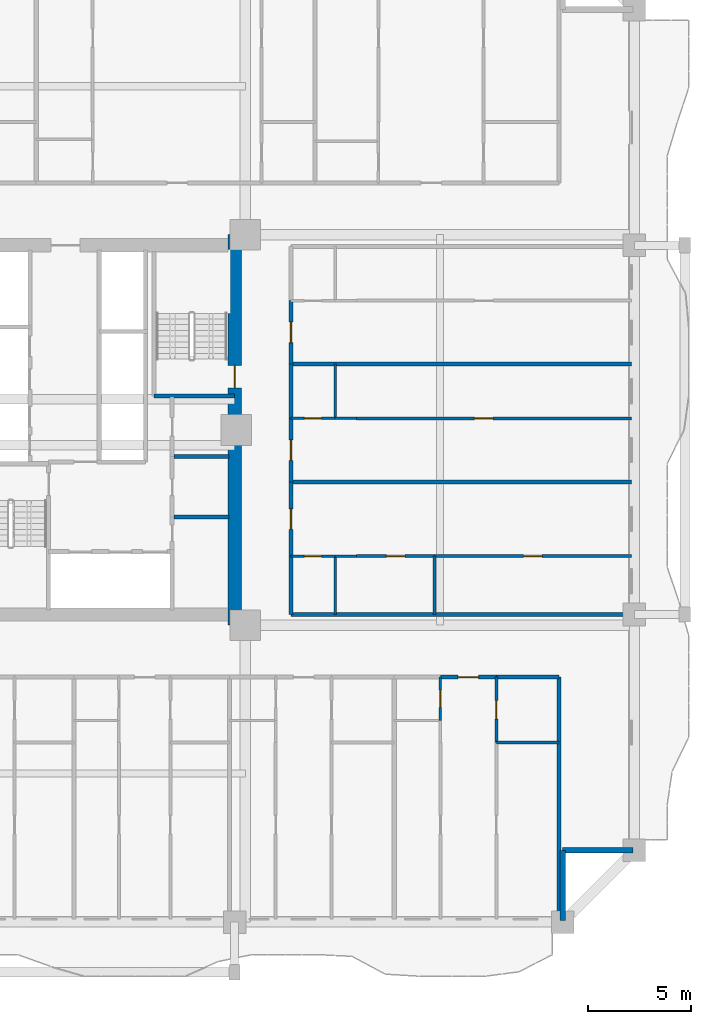
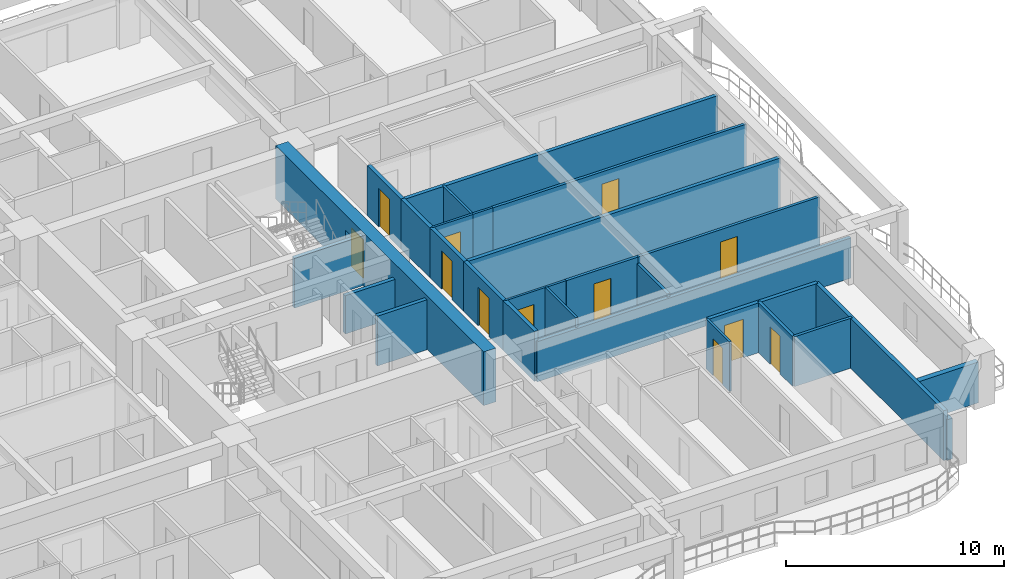
# One storey, part 6 of 16: 30 walls, 12 doors, 12 openings.
"""IFC4 building model written with IfcOpenShell, lengths in metres."""

from ifc_helpers import new_model, si_unit, direction, frame, frame_2d, origin, place, context, subcontext, project, spatial, rectangle, extrude, source, transform, mapped, material, layer, layer_set, type_object, element, fill, save


model = new_model("IFC4")

# Units and contexts
model_context = context("Model", 3, precision=1e-05, world=origin(), true_north=direction((0.0, 1.0)))
body_context = subcontext(model_context, "Body", "Model", "MODEL_VIEW")
ifc_project = project(units=[si_unit("LENGTHUNIT", "METRE"), si_unit("AREAUNIT", "SQUARE_METRE"), si_unit("VOLUMEUNIT", "CUBIC_METRE"), si_unit("PLANEANGLEUNIT", "RADIAN"), si_unit("MASSUNIT", "GRAM", prefix="KILO")], contexts=[model_context])

# Site, building, storey
site_placement = place(None, origin())
site = spatial("IfcSite", under=ifc_project, at=site_placement, CompositionType="ELEMENT")
building_placement = place(site_placement, origin())
building = spatial("IfcBuilding", under=site, at=building_placement, Name="Saelheon Loggia Tower", CompositionType="ELEMENT")
storey_placement = place(building_placement, frame((0.0, 0.0, 58.39990234375)))
storey = spatial("IfcBuildingStorey", under=building, at=storey_placement, Name="L18", CompositionType="ELEMENT", Elevation=58.39990234375)

# Wall, opening, door
ifc_material_1 = material(Name="Concrete C60/75", Category="concrete")
ifc_layer_1 = layer(ifc_material_1, 0.64990234375)
ifc_layer_set_1 = layer_set([ifc_layer_1], Name="Concrete C60/75")
wall_type_1 = type_object("IfcWallType", Name="Wall_CoreShear_650", PredefinedType="SHEAR", material=ifc_layer_set_1)
wall_1_placement = place(storey_placement, frame((44.5, 17.47998046875, 0.0), z_axis=(0.0, 0.0, 1.0), x_axis=(0.0, 1.0, 0.0)))
wall_1 = element("IfcWall", 1, at=wall_1_placement, inside=storey, type_object=wall_type_1, Name="L18 Core Shear Wall East", PredefinedType="SHEAR", context=body_context, shape_type="SweptSolid", body=[
    extrude(rectangle(XDim=19.0400390625, YDim=0.64990234375, at=frame_2d((9.52001953125, 0.0))), origin(), (0.0, 0.0, 1.0), 3.0),
])
opening_1_placement = place(wall_1_placement, frame((12.670166015625, 0.0, 0.0), z_axis=(0.0, 0.0, 1.0), x_axis=(-1.0, 0.0, 0.0)))
opening_1 = element("IfcOpeningElement", 2, at=opening_1_placement, cuts=wall_1, Name="Opening D-FD2", PredefinedType="OPENING", context=body_context, shape_type="SweptSolid", body=[
    extrude(rectangle(XDim=1.10009765625, YDim=2.14990234375, at=frame_2d((0.550048828125, 1.074951171875))), frame((0.0, 0.3369140625, 0.0), z_axis=(0.0, -1.0, 0.0), x_axis=(1.0, 0.0, 0.0)), (0.0, 0.0, 1.0), 0.673828125),
])
ifc_material_2 = material(Name="Galvanised Steel Fire Door", Category="steel")
door_type_1 = type_object("IfcDoorType", Name="Door_Fire_FD60_1100", OperationType="NOTDEFINED", PredefinedType="DOOR", material=ifc_material_2)
shared_shape_1 = source(origin(), body_context, "Body", "SweptSolid", [
    extrude(rectangle(XDim=1.10009765625, YDim=2.14990234375, at=frame_2d((0.550048828125, 1.074951171875))), frame((0.0, 0.02490234375, 0.0), z_axis=(0.0, -1.0, 0.0), x_axis=(1.0, 0.0, 0.0)), (0.0, 0.0, 1.0), 0.050048828125),
])
door_1_placement = place(opening_1_placement, origin())
door_1 = element("IfcDoor", 3, at=door_1_placement, inside=storey, type_object=door_type_1, Name="L18 Stair ST2 Corridor Door", OperationType="SINGLE_SWING_RIGHT", OverallHeight=2.14990234375, OverallWidth=1.10009765625, PredefinedType="DOOR", context=body_context, shape_type="MappedRepresentation", body=[
    mapped(shared_shape_1, transform((0.0, 0.0, 0.0), scale=1.0)),
])
fill(opening_1, door_1)

# Walls
ifc_material_3 = material(Name="Architectural Precast Concrete C40/50", Category="concrete")
ifc_layer_2 = layer(ifc_material_3, 0.280029296875)
ifc_layer_set_2 = layer_set([ifc_layer_2], Name="Architectural Precast Concrete C40/50")
wall_type_2 = type_object("IfcWallType", Name="Wall_Ext_Loggia_280", PredefinedType="SOLIDWALL", material=ifc_layer_set_2)
for number, where, z_axis, x_axis, name in (
    (4, (60.5, 3.080078125, 0.0), (0.0, 0.0, 1.0), (0.0, 1.0, 0.0), "L18 Corner Notch Precast Wall SE1"),
    (5, (60.5, 6.5, 0.0), (0.0, 0.0, 1.0), (1.0, 0.0, 0.0), "L18 Corner Notch Precast Wall SE2"),
):
    element("IfcWall", number, at=place(storey_placement, frame(where, z_axis=z_axis, x_axis=x_axis)), inside=storey, type_object=wall_type_2, Name=name, PredefinedType="SOLIDWALL", context=body_context, shape_type="SweptSolid", body=[
        extrude(rectangle(XDim=3.419921875, YDim=0.280029296875, at=frame_2d((1.7099609375, 0.0))), origin(), (0.0, 0.0, 1.0), 2.280029296875),
    ])
ifc_material_4 = material(Name="Lightweight Autoclaved Aerated Concrete Block and Acoustic Gypsum", Category="concrete")
ifc_layer_3 = layer(ifc_material_4, 0.14990234375)
ifc_layer_set_3 = layer_set([ifc_layer_3], Name="Lightweight Autoclaved Aerated Concrete Block and Acoustic Gypsum")
wall_type_3 = type_object("IfcWallType", Name="Wall_Part_150", PredefinedType="PARTITIONING", material=ifc_layer_set_3)
wall_2_placement = place(storey_placement, frame((57.2666015625, 11.75, 0.0), z_axis=(0.0, 0.0, 1.0), x_axis=(1.0, 0.0, 0.0)))
element("IfcWall", 6, at=wall_2_placement, inside=storey, type_object=wall_type_3, Name="L18 S Partition V55", PredefinedType="PARTITIONING", context=body_context, shape_type="SweptSolid", body=[
    extrude(rectangle(XDim=3.053466796875, YDim=0.14990234375, at=frame_2d((1.52685546875, 0.0))), origin(), (0.0, 0.0, 1.0), 2.7900390625),
])

# Wall, opening, door
wall_3_placement = place(storey_placement, frame((57.2666015625, 14.949951171875, 0.0), z_axis=(0.0, 0.0, 1.0), x_axis=(0.0, -1.0, 0.0)))
wall_3 = element("IfcWall", 7, at=wall_3_placement, inside=storey, type_object=wall_type_3, Name="L18 S Partition U59", PredefinedType="PARTITIONING", context=body_context, shape_type="SweptSolid", body=[
    extrude(rectangle(XDim=3.199951171875, YDim=0.14990234375, at=frame_2d((1.60009765625, 0.0))), origin(), (0.0, 0.0, 1.0), 2.7900390625),
])
opening_2_placement = place(wall_3_placement, frame((1.14990234375, 0.0, 0.0)))
opening_2 = element("IfcOpeningElement", 8, at=opening_2_placement, cuts=wall_3, Name="Opening D-IN2", PredefinedType="OPENING", context=body_context, shape_type="SweptSolid", body=[
    extrude(rectangle(XDim=0.89990234375, YDim=2.10009765625, at=frame_2d((0.449951171875, 1.050048828125))), frame((0.0, 0.0869140625, 0.0), z_axis=(0.0, -1.0, 0.0), x_axis=(1.0, 0.0, 0.0)), (0.0, 0.0, 1.0), 0.173828125),
])
ifc_material_5 = material(Name="Engineered Oak Flush Door", Category="timber")
door_type_2 = type_object("IfcDoorType", Name="Door_Int_900", OperationType="NOTDEFINED", PredefinedType="DOOR", material=ifc_material_5)
shared_shape_2 = source(origin(), body_context, "Body", "SweptSolid", [
    extrude(rectangle(XDim=0.89990234375, YDim=2.10009765625, at=frame_2d((0.449951171875, 1.050048828125))), frame((0.0, 0.02490234375, 0.0), z_axis=(0.0, -1.0, 0.0), x_axis=(1.0, 0.0, 0.0)), (0.0, 0.0, 1.0), 0.050048828125),
])
door_2_placement = place(opening_2_placement, origin())
door_2 = element("IfcDoor", 9, at=door_2_placement, inside=storey, type_object=door_type_2, Name="Unit U05 Dressing Closet Door", OperationType="SINGLE_SWING_LEFT", OverallHeight=2.10009765625, OverallWidth=0.89990234375, PredefinedType="DOOR", context=body_context, shape_type="MappedRepresentation", body=[
    mapped(shared_shape_2, transform((0.0, 0.0, 0.0), scale=1.0)),
])
fill(opening_2, door_2)

# Wall
wall_4_placement = place(storey_placement, frame((54.25, 18.0, 0.0), z_axis=(0.0, 0.0, 1.0), x_axis=(0.0, 1.0, 0.0)))
element("IfcWall", 10, at=wall_4_placement, inside=storey, type_object=wall_type_3, Name="L18 E Partition V08", PredefinedType="PARTITIONING", context=body_context, shape_type="SweptSolid", body=[
    extrude(rectangle(XDim=2.85009765625, YDim=0.14990234375, at=frame_2d((1.425048828125, 0.0))), origin(), (0.0, 0.0, 1.0), 2.440185546875),
])

# Wall, opening, door
wall_5_placement = place(storey_placement, frame((50.449951171875, 20.85009765625, 0.0), z_axis=(0.0, 0.0, 1.0), x_axis=(1.0, 0.0, 0.0)))
wall_5 = element("IfcWall", 11, at=wall_5_placement, inside=storey, type_object=wall_type_3, Name="L18 E Partition U09", PredefinedType="PARTITIONING", context=body_context, shape_type="SweptSolid", body=[
    extrude(rectangle(XDim=3.800048828125, YDim=0.14990234375, at=frame_2d((1.89990234375, 0.0))), origin(), (0.0, 0.0, 1.0), 2.7900390625),
])
opening_3_placement = place(wall_5_placement, frame((1.449951171875, 0.0, 0.0)))
opening_3 = element("IfcOpeningElement", 12, at=opening_3_placement, cuts=wall_5, Name="Opening D-IN2", PredefinedType="OPENING", context=body_context, shape_type="SweptSolid", body=[
    extrude(rectangle(XDim=0.89990234375, YDim=2.10009765625, at=frame_2d((0.449951171875, 1.050048828125))), frame((0.0, 0.0869140625, 0.0), z_axis=(0.0, -1.0, 0.0), x_axis=(1.0, 0.0, 0.0)), (0.0, 0.0, 1.0), 0.173828125),
])
door_3_placement = place(opening_3_placement, origin())
door_3 = element("IfcDoor", 13, at=door_3_placement, inside=storey, type_object=door_type_2, Name="Unit U13 Kitchen Door", OperationType="SINGLE_SWING_RIGHT", OverallHeight=2.10009765625, OverallWidth=0.89990234375, PredefinedType="DOOR", context=body_context, shape_type="MappedRepresentation", body=[
    mapped(shared_shape_2, transform((0.0, 0.0, 0.0), scale=1.0)),
])
fill(opening_3, door_3)

wall_6_placement = place(storey_placement, frame((54.25, 20.85009765625, 0.0), z_axis=(0.0, 0.0, 1.0), x_axis=(1.0, 0.0, 0.0)))
wall_6 = element("IfcWall", 14, at=wall_6_placement, inside=storey, type_object=wall_type_3, Name="L18 E Partition U10", PredefinedType="PARTITIONING", context=body_context, shape_type="SweptSolid", body=[
    extrude(rectangle(XDim=9.60009765625, YDim=0.14990234375, at=frame_2d((4.800048828125, 0.0))), origin(), (0.0, 0.0, 1.0), 2.7900390625),
])
opening_4_placement = place(wall_6_placement, frame((4.35009765625, 0.0, 0.0)))
opening_4 = element("IfcOpeningElement", 15, at=opening_4_placement, cuts=wall_6, Name="Opening D-IN2", PredefinedType="OPENING", context=body_context, shape_type="SweptSolid", body=[
    extrude(rectangle(XDim=0.89990234375, YDim=2.10009765625, at=frame_2d((0.449951171875, 1.050048828125))), frame((0.0, 0.0869140625, 0.0), z_axis=(0.0, -1.0, 0.0), x_axis=(1.0, 0.0, 0.0)), (0.0, 0.0, 1.0), 0.173828125),
])
door_4_placement = place(opening_4_placement, origin())
door_4 = element("IfcDoor", 16, at=door_4_placement, inside=storey, type_object=door_type_2, Name="Unit U13 Bedroom 1 Door", OperationType="SINGLE_SWING_LEFT", OverallHeight=2.10009765625, OverallWidth=0.89990234375, PredefinedType="DOOR", context=body_context, shape_type="MappedRepresentation", body=[
    mapped(shared_shape_2, transform((0.0, 0.0, 0.0), scale=1.0)),
])
fill(opening_4, door_4)

wall_7_placement = place(storey_placement, frame((50.449951171875, 27.563720703125, 0.0), z_axis=(0.0, 0.0, 1.0), x_axis=(1.0, 0.0, 0.0)))
wall_7 = element("IfcWall", 17, at=wall_7_placement, inside=storey, type_object=wall_type_3, Name="L18 E Partition U17", PredefinedType="PARTITIONING", context=body_context, shape_type="SweptSolid", body=[
    extrude(rectangle(XDim=13.400146484375, YDim=0.14990234375, at=frame_2d((6.7001953125, 0.0))), origin(), (0.0, 0.0, 1.0), 2.7900390625),
])
opening_5_placement = place(wall_7_placement, frame((5.749267578125, 0.0, 0.0)))
opening_5 = element("IfcOpeningElement", 18, at=opening_5_placement, cuts=wall_7, Name="Opening D-IN2", PredefinedType="OPENING", context=body_context, shape_type="SweptSolid", body=[
    extrude(rectangle(XDim=0.89990234375, YDim=2.10009765625, at=frame_2d((0.449951171875, 1.050048828125))), frame((0.0, 0.0869140625, 0.0), z_axis=(0.0, -1.0, 0.0), x_axis=(1.0, 0.0, 0.0)), (0.0, 0.0, 1.0), 0.173828125),
])
door_5_placement = place(opening_5_placement, origin())
door_5 = element("IfcDoor", 19, at=door_5_placement, inside=storey, type_object=door_type_2, Name="Unit U14 Kitchen Door", OperationType="SINGLE_SWING_RIGHT", OverallHeight=2.10009765625, OverallWidth=0.89990234375, PredefinedType="DOOR", context=body_context, shape_type="MappedRepresentation", body=[
    mapped(shared_shape_2, transform((0.0, 0.0, 0.0), scale=1.0)),
])
fill(opening_5, door_5)

# Wall
ifc_material_6 = material(Name="Double Acoustic Stud and Fireboard Partition", Category="gypsum")
ifc_layer_4 = layer(ifc_material_6, 0.199951171875)
ifc_layer_set_4 = layer_set([ifc_layer_4], Name="Double Acoustic Stud and Fireboard Partition")
wall_type_4 = type_object("IfcWallType", Name="Wall_Party_200", PredefinedType="PARTITIONING", material=ifc_layer_set_4)
wall_8_placement = place(storey_placement, frame((60.320068359375, 14.949951171875, 0.0), z_axis=(0.0, 0.0, 1.0), x_axis=(0.0, -1.0, 0.0)))
element("IfcWall", 20, at=wall_8_placement, inside=storey, type_object=wall_type_4, Name="L18 S Partition U02", PredefinedType="PARTITIONING", context=body_context, shape_type="SweptSolid", body=[
    extrude(rectangle(XDim=11.800048828125, YDim=0.199951171875, at=frame_2d((5.89990234375, 0.0))), origin(), (0.0, 0.0, 1.0), 2.7900390625),
])

# Wall, opening, door
wall_9_placement = place(storey_placement, frame((54.53466796875, 14.949951171875, 0.0), z_axis=(0.0, 0.0, 1.0), x_axis=(1.0, 0.0, 0.0)))
wall_9 = element("IfcWall", 21, at=wall_9_placement, inside=storey, type_object=wall_type_4, Name="L18 S Partition V52", PredefinedType="PARTITIONING", context=body_context, shape_type="SweptSolid", body=[
    extrude(rectangle(XDim=2.73193359375, YDim=0.199951171875, at=frame_2d((1.365966796875, 0.0))), origin(), (0.0, 0.0, 1.0), 2.7900390625),
])
opening_6_placement = place(wall_9_placement, frame((0.865966796875, 0.0, 0.0)))
opening_6 = element("IfcOpeningElement", 22, at=opening_6_placement, cuts=wall_9, Name="Opening D-FD1", PredefinedType="OPENING", context=body_context, shape_type="SweptSolid", body=[
    extrude(rectangle(XDim=1.0, YDim=2.14990234375, at=frame_2d((0.5, 1.074951171875))), frame((0.0, 0.112060546875, 0.0), z_axis=(0.0, -1.0, 0.0), x_axis=(1.0, 0.0, 0.0)), (0.0, 0.0, 1.0), 0.223876953125),
])
ifc_material_7 = material(Name="Fire-Rated Engineered Timber Entrance Door", Category="wood")
door_type_3 = type_object("IfcDoorType", Name="Door_Flat_FD30S", OperationType="NOTDEFINED", PredefinedType="DOOR", material=ifc_material_7)
shared_shape_3 = source(origin(), body_context, "Body", "SweptSolid", [
    extrude(rectangle(XDim=1.0, YDim=2.14990234375, at=frame_2d((0.5, 1.074951171875))), frame((0.0, 0.02490234375, 0.0), z_axis=(0.0, -1.0, 0.0), x_axis=(1.0, 0.0, 0.0)), (0.0, 0.0, 1.0), 0.050048828125),
])
door_6_placement = place(opening_6_placement, origin())
door_6 = element("IfcDoor", 23, at=door_6_placement, inside=storey, type_object=door_type_3, Name="Unit U05 Entrance Door", OperationType="SINGLE_SWING_RIGHT", OverallHeight=2.14990234375, OverallWidth=1.0, PredefinedType="DOOR", context=body_context, shape_type="MappedRepresentation", body=[
    mapped(shared_shape_3, transform((0.0, 0.0, 0.0), scale=1.0)),
])
fill(opening_6, door_6)

# Walls
wall_10_placement = place(storey_placement, frame((57.2666015625, 14.949951171875, 0.0), z_axis=(0.0, 0.0, 1.0), x_axis=(1.0, 0.0, 0.0)))
element("IfcWall", 24, at=wall_10_placement, inside=storey, type_object=wall_type_4, Name="L18 S Partition V53", PredefinedType="PARTITIONING", context=body_context, shape_type="SweptSolid", body=[
    extrude(rectangle(XDim=3.053466796875, YDim=0.199951171875, at=frame_2d((1.52685546875, 0.0))), origin(), (0.0, 0.0, 1.0), 2.7900390625),
])
wall_11_placement = place(storey_placement, frame((47.25, 18.0, 0.0), z_axis=(0.0, 0.0, 1.0), x_axis=(1.0, 0.0, 0.0)))
element("IfcWall", 25, at=wall_11_placement, inside=storey, type_object=wall_type_4, Name="L18 E Partition U01", PredefinedType="PARTITIONING", context=body_context, shape_type="SweptSolid", body=[
    extrude(rectangle(XDim=16.60009765625, YDim=0.199951171875, at=frame_2d((8.300048828125, 0.0))), origin(), (0.0, 0.0, 1.0), 2.239990234375),
])
wall_12_placement = place(storey_placement, frame((47.25, 18.0, 0.0), z_axis=(0.0, 0.0, 1.0), x_axis=(0.0, 1.0, 0.0)))
element("IfcWall", 26, at=wall_12_placement, inside=storey, type_object=wall_type_4, Name="L18 E Partition V03", PredefinedType="PARTITIONING", context=body_context, shape_type="SweptSolid", body=[
    extrude(rectangle(XDim=2.85009765625, YDim=0.199951171875, at=frame_2d((1.425048828125, 0.0))), origin(), (0.0, 0.0, 1.0), 2.7900390625),
])

# Wall, opening, door
wall_13_placement = place(storey_placement, frame((47.25, 20.85009765625, 0.0), z_axis=(0.0, 0.0, 1.0), x_axis=(0.0, 1.0, 0.0)))
wall_13 = element("IfcWall", 27, at=wall_13_placement, inside=storey, type_object=wall_type_4, Name="L18 E Partition V04", PredefinedType="PARTITIONING", context=body_context, shape_type="SweptSolid", body=[
    extrude(rectangle(XDim=3.61181640625, YDim=0.199951171875, at=frame_2d((1.805908203125, 0.0))), origin(), (0.0, 0.0, 1.0), 2.7900390625),
])
opening_7_placement = place(wall_13_placement, frame((1.305908203125, 0.0, 0.0)))
opening_7 = element("IfcOpeningElement", 28, at=opening_7_placement, cuts=wall_13, Name="Opening D-FD1", PredefinedType="OPENING", context=body_context, shape_type="SweptSolid", body=[
    extrude(rectangle(XDim=1.0, YDim=2.14990234375, at=frame_2d((0.5, 1.074951171875))), frame((0.0, 0.112060546875, 0.0), z_axis=(0.0, -1.0, 0.0), x_axis=(1.0, 0.0, 0.0)), (0.0, 0.0, 1.0), 0.223876953125),
])
door_7_placement = place(opening_7_placement, origin())
door_7 = element("IfcDoor", 29, at=door_7_placement, inside=storey, type_object=door_type_3, Name="Unit U13 Entrance Door", OperationType="SINGLE_SWING_RIGHT", OverallHeight=2.14990234375, OverallWidth=1.0, PredefinedType="DOOR", context=body_context, shape_type="MappedRepresentation", body=[
    mapped(shared_shape_3, transform((0.0, 0.0, 0.0), scale=1.0)),
])
fill(opening_7, door_7)

# Wall
wall_14_placement = place(storey_placement, frame((47.25, 24.4619140625, 0.0), z_axis=(0.0, 0.0, 1.0), x_axis=(1.0, 0.0, 0.0)))
element("IfcWall", 30, at=wall_14_placement, inside=storey, type_object=wall_type_4, Name="L18 E Partition U11", PredefinedType="PARTITIONING", context=body_context, shape_type="SweptSolid", body=[
    extrude(rectangle(XDim=16.60009765625, YDim=0.199951171875, at=frame_2d((8.300048828125, 0.0))), origin(), (0.0, 0.0, 1.0), 2.7900390625),
])

# Wall, opening, door
wall_15_placement = place(storey_placement, frame((47.25, 24.4619140625, 0.0), z_axis=(0.0, 0.0, 1.0), x_axis=(0.0, 1.0, 0.0)))
wall_15 = element("IfcWall", 31, at=wall_15_placement, inside=storey, type_object=wall_type_4, Name="L18 E Partition V12", PredefinedType="PARTITIONING", context=body_context, shape_type="SweptSolid", body=[
    extrude(rectangle(XDim=3.101806640625, YDim=0.199951171875, at=frame_2d((1.55078125, 0.0))), origin(), (0.0, 0.0, 1.0), 2.7900390625),
])
opening_8_placement = place(wall_15_placement, frame((1.05078125, 0.0, 0.0)))
opening_8 = element("IfcOpeningElement", 32, at=opening_8_placement, cuts=wall_15, Name="Opening D-FD1", PredefinedType="OPENING", context=body_context, shape_type="SweptSolid", body=[
    extrude(rectangle(XDim=1.0, YDim=2.14990234375, at=frame_2d((0.5, 1.074951171875))), frame((0.0, 0.112060546875, 0.0), z_axis=(0.0, -1.0, 0.0), x_axis=(1.0, 0.0, 0.0)), (0.0, 0.0, 1.0), 0.223876953125),
])
door_8_placement = place(opening_8_placement, origin())
door_8 = element("IfcDoor", 33, at=door_8_placement, inside=storey, type_object=door_type_3, Name="Unit U14 Entrance Door", OperationType="SINGLE_SWING_RIGHT", OverallHeight=2.14990234375, OverallWidth=1.0, PredefinedType="DOOR", context=body_context, shape_type="MappedRepresentation", body=[
    mapped(shared_shape_3, transform((0.0, 0.0, 0.0), scale=1.0)),
])
fill(opening_8, door_8)

# Walls
wall_16_placement = place(storey_placement, frame((47.25, 27.563720703125, 0.0), z_axis=(0.0, 0.0, 1.0), x_axis=(0.0, 1.0, 0.0)))
element("IfcWall", 34, at=wall_16_placement, inside=storey, type_object=wall_type_4, Name="L18 E Partition V13", PredefinedType="PARTITIONING", context=body_context, shape_type="SweptSolid", body=[
    extrude(rectangle(XDim=2.642333984375, YDim=0.199951171875, at=frame_2d((1.3212890625, 0.0))), origin(), (0.0, 0.0, 1.0), 2.7900390625),
])
wall_17_placement = place(storey_placement, frame((47.25, 30.2060546875, 0.0), z_axis=(0.0, 0.0, 1.0), x_axis=(1.0, 0.0, 0.0)))
element("IfcWall", 35, at=wall_17_placement, inside=storey, type_object=wall_type_4, Name="L18 E Partition U18", PredefinedType="PARTITIONING", context=body_context, shape_type="SweptSolid", body=[
    extrude(rectangle(XDim=16.60009765625, YDim=0.199951171875, at=frame_2d((8.300048828125, 0.0))), origin(), (0.0, 0.0, 1.0), 2.7900390625),
])

# Wall, opening, door
wall_18_placement = place(storey_placement, frame((47.25, 30.2060546875, 0.0), z_axis=(0.0, 0.0, 1.0), x_axis=(0.0, 1.0, 0.0)))
wall_18 = element("IfcWall", 36, at=wall_18_placement, inside=storey, type_object=wall_type_4, Name="L18 E Partition V19", PredefinedType="PARTITIONING", context=body_context, shape_type="SweptSolid", body=[
    extrude(rectangle(XDim=3.101806640625, YDim=0.199951171875, at=frame_2d((1.55078125, 0.0))), origin(), (0.0, 0.0, 1.0), 2.7900390625),
])
opening_9_placement = place(wall_18_placement, frame((1.05078125, 0.0, 0.0)))
opening_9 = element("IfcOpeningElement", 37, at=opening_9_placement, cuts=wall_18, Name="Opening D-FD1", PredefinedType="OPENING", context=body_context, shape_type="SweptSolid", body=[
    extrude(rectangle(XDim=1.0, YDim=2.14990234375, at=frame_2d((0.5, 1.074951171875))), frame((0.0, 0.112060546875, 0.0), z_axis=(0.0, -1.0, 0.0), x_axis=(1.0, 0.0, 0.0)), (0.0, 0.0, 1.0), 0.223876953125),
])
door_9_placement = place(opening_9_placement, origin())
door_9 = element("IfcDoor", 38, at=door_9_placement, inside=storey, type_object=door_type_3, Name="Unit U15 Entrance Door", OperationType="SINGLE_SWING_LEFT", OverallHeight=2.14990234375, OverallWidth=1.0, PredefinedType="DOOR", context=body_context, shape_type="MappedRepresentation", body=[
    mapped(shared_shape_3, transform((0.0, 0.0, 0.0), scale=1.0)),
])
fill(opening_9, door_9)

# Walls
ifc_material_8 = material(Name="Concrete C40/50", Category="concrete")
ifc_layer_5 = layer(ifc_material_8, 0.199951171875)
ifc_layer_set_5 = layer_set([ifc_layer_5], Name="Concrete C40/50")
wall_type_5 = type_object("IfcWallType", Name="Wall_Shaft_200", PredefinedType="PARTITIONING", material=ifc_layer_set_5)
wall_19_placement = place(storey_placement, frame((41.550048828125, 22.75, 0.0), z_axis=(0.0, 0.0, 1.0), x_axis=(1.0, 0.0, 0.0)))
element("IfcWall", 39, at=wall_19_placement, inside=storey, type_object=wall_type_5, Name="CW-BOH-L18-H1", PredefinedType="PARTITIONING", context=body_context, shape_type="SweptSolid", body=[
    extrude(rectangle(XDim=2.669921875, YDim=0.199951171875, at=frame_2d((1.3349609375, 0.0))), origin(), (0.0, 0.0, 1.0), 2.7900390625),
])
wall_20_placement = place(storey_placement, frame((41.550048828125, 25.699951171875, 0.0), z_axis=(0.0, 0.0, 1.0), x_axis=(1.0, 0.0, 0.0)))
element("IfcWall", 40, at=wall_20_placement, inside=storey, type_object=wall_type_5, Name="CW-BOH-L18-H2", PredefinedType="PARTITIONING", context=body_context, shape_type="SweptSolid", body=[
    extrude(rectangle(XDim=2.669921875, YDim=0.199951171875, at=frame_2d((1.3349609375, 0.0))), origin(), (0.0, 0.0, 1.0), 2.14013671875),
])
ifc_material_9 = material(Name="Concrete C45/55", Category="concrete")
ifc_layer_6 = layer(ifc_material_9, 0.199951171875)
ifc_layer_set_6 = layer_set([ifc_layer_6], Name="Concrete C45/55")
wall_type_6 = type_object("IfcWallType", Name="Wall_StairShaft_RC200", PredefinedType="SOLIDWALL", material=ifc_layer_set_6)
wall_21_placement = place(storey_placement, frame((40.570068359375, 28.64990234375, 0.0), z_axis=(0.0, 0.0, 1.0), x_axis=(1.0, 0.0, 0.0)))
element("IfcWall", 41, at=wall_21_placement, inside=storey, type_object=wall_type_6, Name="L18 Stair ST2 South Wall", PredefinedType="SOLIDWALL", context=body_context, shape_type="SweptSolid", body=[
    extrude(rectangle(XDim=3.929931640625, YDim=0.199951171875, at=frame_2d((1.96484375, 0.0))), origin(), (0.0, 0.0, 1.0), 2.7900390625),
])

# Wall, opening, door
ifc_material_10 = material(Name="Moisture-Resistant Cement Board Partition", Category="gypsum")
ifc_layer_7 = layer(ifc_material_10, 0.1201171875)
ifc_layer_set_7 = layer_set([ifc_layer_7], Name="Moisture-Resistant Cement Board Partition")
wall_type_7 = type_object("IfcWallType", Name="Wall_WetPart_120", PredefinedType="PARTITIONING", material=ifc_layer_set_7)
wall_22_placement = place(storey_placement, frame((54.53466796875, 14.949951171875, 0.0), z_axis=(0.0, 0.0, 1.0), x_axis=(0.0, -1.0, 0.0)))
wall_22 = element("IfcWall", 42, at=wall_22_placement, inside=storey, type_object=wall_type_7, Name="L18 S Partition U56", PredefinedType="PARTITIONING", context=body_context, shape_type="SweptSolid", body=[
    extrude(rectangle(XDim=2.119873046875, YDim=0.1201171875, at=frame_2d((1.06005859375, 0.0))), origin(), (0.0, 0.0, 1.0), 2.7900390625),
])
opening_10_placement = place(wall_22_placement, frame((0.635009765625, 0.0, 0.0)))
opening_10 = element("IfcOpeningElement", 43, at=opening_10_placement, cuts=wall_22, Name="Opening D-BT1", PredefinedType="OPENING", context=body_context, shape_type="SweptSolid", body=[
    extrude(rectangle(XDim=0.85009765625, YDim=2.050048828125, at=frame_2d((0.425048828125, 1.02490234375))), frame((0.0, 0.072021484375, 0.0), z_axis=(0.0, -1.0, 0.0), x_axis=(1.0, 0.0, 0.0)), (0.0, 0.0, 1.0), 0.14404296875),
])
ifc_material_11 = material(Name="Moisture-Resistant Laminate Timber Door", Category="wood")
door_type_4 = type_object("IfcDoorType", Name="Door_Bath_850", OperationType="NOTDEFINED", PredefinedType="DOOR", material=ifc_material_11)
shared_shape_4 = source(origin(), body_context, "Body", "SweptSolid", [
    extrude(rectangle(XDim=0.85009765625, YDim=2.050048828125, at=frame_2d((0.425048828125, 1.02490234375))), frame((0.0, 0.02490234375, 0.0), z_axis=(0.0, -1.0, 0.0), x_axis=(1.0, 0.0, 0.0)), (0.0, 0.0, 1.0), 0.050048828125),
])
door_10_placement = place(opening_10_placement, origin())
door_10 = element("IfcDoor", 44, at=door_10_placement, inside=storey, type_object=door_type_4, Name="Unit U05 Bathroom Door", OperationType="SINGLE_SWING_LEFT", OverallHeight=2.050048828125, OverallWidth=0.85009765625, PredefinedType="DOOR", context=body_context, shape_type="MappedRepresentation", body=[
    mapped(shared_shape_4, transform((0.0, 0.0, 0.0), scale=1.0)),
])
fill(opening_10, door_10)

wall_23_placement = place(storey_placement, frame((47.25, 20.85009765625, 0.0), z_axis=(0.0, 0.0, 1.0), x_axis=(1.0, 0.0, 0.0)))
wall_23 = element("IfcWall", 45, at=wall_23_placement, inside=storey, type_object=wall_type_7, Name="L18 E Partition U05", PredefinedType="PARTITIONING", context=body_context, shape_type="SweptSolid", body=[
    extrude(rectangle(XDim=2.14990234375, YDim=0.1201171875, at=frame_2d((1.074951171875, 0.0))), origin(), (0.0, 0.0, 1.0), 2.7900390625),
])
opening_11_placement = place(wall_23_placement, frame((0.64990234375, 0.0, 0.0)))
opening_11 = element("IfcOpeningElement", 46, at=opening_11_placement, cuts=wall_23, Name="Opening D-BT1", PredefinedType="OPENING", context=body_context, shape_type="SweptSolid", body=[
    extrude(rectangle(XDim=0.85009765625, YDim=2.050048828125, at=frame_2d((0.425048828125, 1.02490234375))), frame((0.0, 0.072021484375, 0.0), z_axis=(0.0, -1.0, 0.0), x_axis=(1.0, 0.0, 0.0)), (0.0, 0.0, 1.0), 0.14404296875),
])
door_11_placement = place(opening_11_placement, origin())
door_11 = element("IfcDoor", 47, at=door_11_placement, inside=storey, type_object=door_type_4, Name="Unit U13 Bathroom Door", OperationType="SINGLE_SWING_LEFT", OverallHeight=2.050048828125, OverallWidth=0.85009765625, PredefinedType="DOOR", context=body_context, shape_type="MappedRepresentation", body=[
    mapped(shared_shape_4, transform((0.0, 0.0, 0.0), scale=1.0)),
])
fill(opening_11, door_11)

# Walls
wall_24_placement = place(storey_placement, frame((49.39990234375, 20.85009765625, 0.0), z_axis=(0.0, 0.0, 1.0), x_axis=(1.0, 0.0, 0.0)))
element("IfcWall", 48, at=wall_24_placement, inside=storey, type_object=wall_type_7, Name="L18 E Partition U06", PredefinedType="PARTITIONING", context=body_context, shape_type="SweptSolid", body=[
    extrude(rectangle(XDim=1.050048828125, YDim=0.1201171875, at=frame_2d((0.52490234375, 0.0))), origin(), (0.0, 0.0, 1.0), 2.7900390625),
])
wall_25_placement = place(storey_placement, frame((49.39990234375, 18.0, 0.0), z_axis=(0.0, 0.0, 1.0), x_axis=(0.0, 1.0, 0.0)))
element("IfcWall", 49, at=wall_25_placement, inside=storey, type_object=wall_type_7, Name="L18 E Partition V07", PredefinedType="PARTITIONING", context=body_context, shape_type="SweptSolid", body=[
    extrude(rectangle(XDim=2.85009765625, YDim=0.1201171875, at=frame_2d((1.425048828125, 0.0))), origin(), (0.0, 0.0, 1.0), 2.7900390625),
])

# Wall, opening, door
wall_26_placement = place(storey_placement, frame((47.25, 27.563720703125, 0.0), z_axis=(0.0, 0.0, 1.0), x_axis=(1.0, 0.0, 0.0)))
wall_26 = element("IfcWall", 50, at=wall_26_placement, inside=storey, type_object=wall_type_7, Name="L18 E Partition U14", PredefinedType="PARTITIONING", context=body_context, shape_type="SweptSolid", body=[
    extrude(rectangle(XDim=2.14990234375, YDim=0.1201171875, at=frame_2d((1.074951171875, 0.0))), origin(), (0.0, 0.0, 1.0), 2.7900390625),
])
opening_12_placement = place(wall_26_placement, frame((0.64990234375, 0.0, 0.0)))
opening_12 = element("IfcOpeningElement", 51, at=opening_12_placement, cuts=wall_26, Name="Opening D-BT1", PredefinedType="OPENING", context=body_context, shape_type="SweptSolid", body=[
    extrude(rectangle(XDim=0.85009765625, YDim=2.050048828125, at=frame_2d((0.425048828125, 1.02490234375))), frame((0.0, 0.072021484375, 0.0), z_axis=(0.0, -1.0, 0.0), x_axis=(1.0, 0.0, 0.0)), (0.0, 0.0, 1.0), 0.14404296875),
])
door_12_placement = place(opening_12_placement, origin())
door_12 = element("IfcDoor", 52, at=door_12_placement, inside=storey, type_object=door_type_4, Name="Unit U14 Bathroom Door", OperationType="SINGLE_SWING_LEFT", OverallHeight=2.050048828125, OverallWidth=0.85009765625, PredefinedType="DOOR", context=body_context, shape_type="MappedRepresentation", body=[
    mapped(shared_shape_4, transform((0.0, 0.0, 0.0), scale=1.0)),
])
fill(opening_12, door_12)

# Walls
wall_27_placement = place(storey_placement, frame((49.39990234375, 27.563720703125, 0.0), z_axis=(0.0, 0.0, 1.0), x_axis=(1.0, 0.0, 0.0)))
element("IfcWall", 53, at=wall_27_placement, inside=storey, type_object=wall_type_7, Name="L18 E Partition U15", PredefinedType="PARTITIONING", context=body_context, shape_type="SweptSolid", body=[
    extrude(rectangle(XDim=1.050048828125, YDim=0.1201171875, at=frame_2d((0.52490234375, 0.0))), origin(), (0.0, 0.0, 1.0), 2.7900390625),
])
wall_28_placement = place(storey_placement, frame((49.39990234375, 27.563720703125, 0.0), z_axis=(0.0, 0.0, 1.0), x_axis=(0.0, 1.0, 0.0)))
element("IfcWall", 54, at=wall_28_placement, inside=storey, type_object=wall_type_7, Name="L18 E Partition V16", PredefinedType="PARTITIONING", context=body_context, shape_type="SweptSolid", body=[
    extrude(rectangle(XDim=2.642333984375, YDim=0.1201171875, at=frame_2d((1.3212890625, 0.0))), origin(), (0.0, 0.0, 1.0), 2.7900390625),
])

save(model, "model.ifc")
